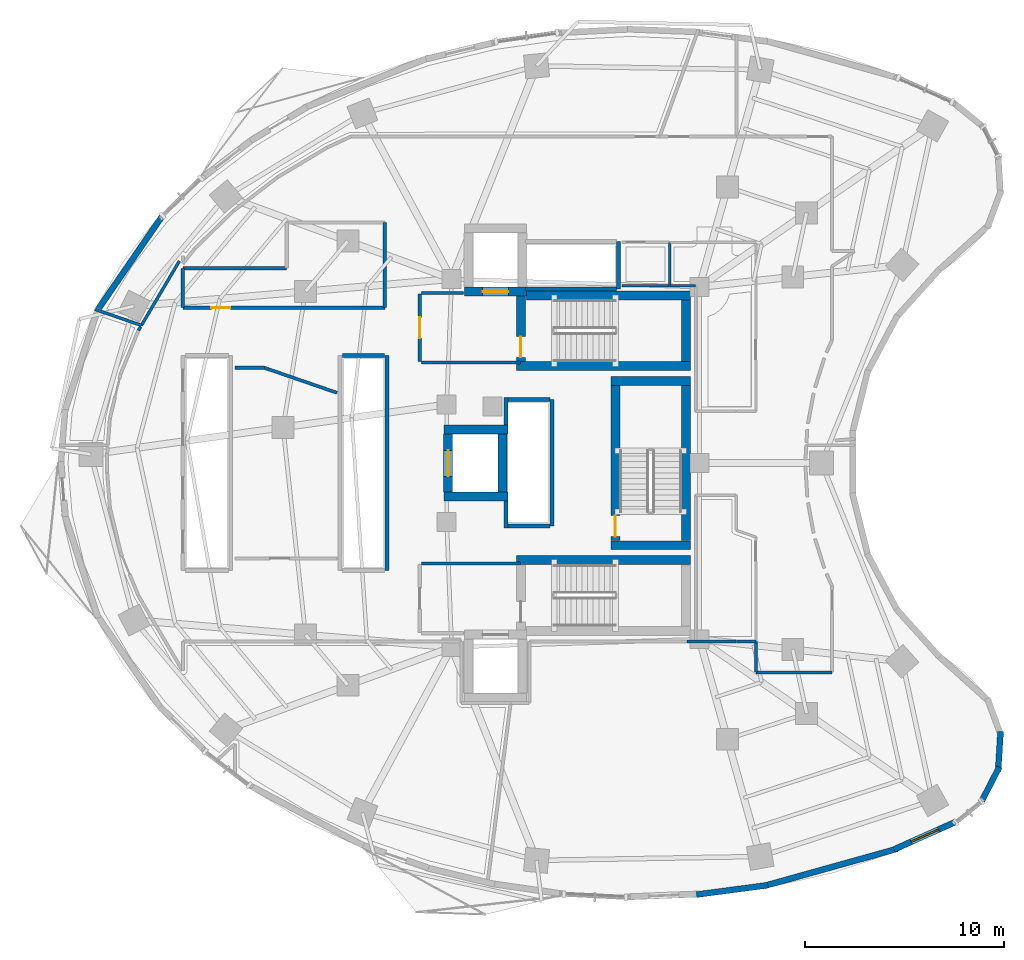
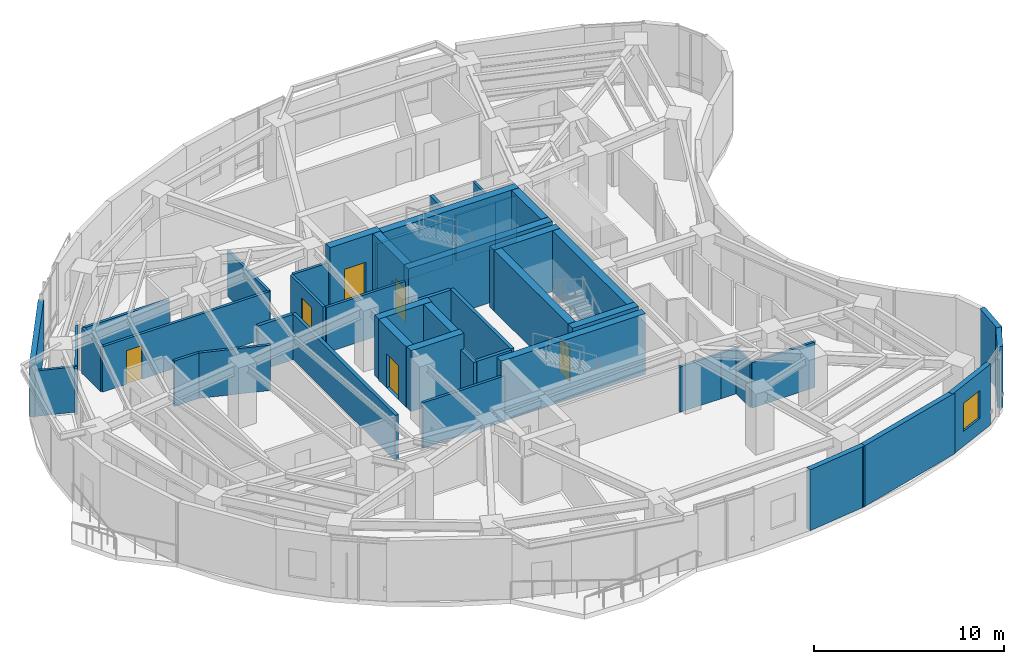
# One storey, part 8 of 13: 49 walls, 6 doors, 1 window, 7 openings.
"""IFC4 building model written with IfcOpenShell, lengths in metres."""

import ifcopenshell
import ifcopenshell.guid

model = None  # the IFC model being written
_history = None  # IfcOwnerHistory: only IFC2X3 demands one
_inside = {}  # id of a spatial element -> (the spatial element, [elements in it])
_under = {}  # id of a project, library or spatial element -> (it, [spatial elements below it])
_declared = {}  # id of a project -> (the project, [libraries it declares])
_typed = {}  # id of a type object -> (the type object, [elements of that type])
_made_of = {}  # id of a material, layer set ... -> (it, [elements and type objects made of it])


def new_model(schema):
    """Start an empty IFC model of exactly this schema.

    Asked for "IFC4X3", IfcOpenShell would pick the latest addendum, in which some entities
    have other attributes; the version numbers below select the first issue.
    IFC2X3 requires an IfcOwnerHistory on every rooted entity: one is made here for all.
    """
    global model, _history
    if schema == "IFC4X3":
        model = ifcopenshell.file(schema_version=(4, 3, 0, 0))
    else:
        model = ifcopenshell.file(schema=schema)
    _inside.clear()
    _under.clear()
    _declared.clear()
    _typed.clear()
    _made_of.clear()
    _history = None
    if model.schema == "IFC2X3":
        org = make("IfcOrganization", Name="unknown")
        user = make(
            "IfcPersonAndOrganization",
            ThePerson=make("IfcPerson", FamilyName="unknown"),
            TheOrganization=org,
        )
        app = make(
            "IfcApplication",
            ApplicationDeveloper=org,
            Version="unknown",
            ApplicationFullName="unknown",
            ApplicationIdentifier="unknown",
        )
        _history = make(
            "IfcOwnerHistory",
            OwningUser=user,
            OwningApplication=app,
            ChangeAction="ADDED",
            CreationDate=0,
        )
    return model


def make(cls, **values):
    """One entity of the class cls with the attributes given. An attribute that is None is left unset."""
    return model.create_entity(
        cls, **{name: value for name, value in values.items() if value is not None}
    )


def rooted(cls, **values):
    """An entity with a GlobalId (a new one), such as an element, a storey or a relation."""
    return make(cls, GlobalId=ifcopenshell.guid.new(), OwnerHistory=_history, **values)


def si_unit(unit_type, name, prefix=None):
    """IfcSIUnit, for example si_unit("LENGTHUNIT", "METRE", prefix="MILLI")."""
    return make("IfcSIUnit", UnitType=unit_type, Prefix=prefix, Name=name)


def assignment(units):
    """IfcUnitAssignment: the units of a project."""
    return None if units is None else make("IfcUnitAssignment", Units=units)


def point(xyz):
    """IfcCartesianPoint."""
    return None if xyz is None else make("IfcCartesianPoint", Coordinates=xyz)


def direction(xyz):
    """IfcDirection."""
    return None if xyz is None else make("IfcDirection", DirectionRatios=xyz)


def frame(location, z_axis=None, x_axis=None):
    """IfcAxis2Placement3D, a coordinate frame: its origin and axes. An axis left out is left unset."""
    return make(
        "IfcAxis2Placement3D",
        Location=point(location),
        Axis=direction(z_axis),
        RefDirection=direction(x_axis),
    )


def frame_2d(location, x_axis=None):
    """IfcAxis2Placement2D, a coordinate frame in the plane: its origin and x axis."""
    return make(
        "IfcAxis2Placement2D", Location=point(location), RefDirection=direction(x_axis)
    )


def origin():
    """The frame at (0, 0, 0) with its axes left unset."""
    return frame((0.0, 0.0, 0.0))


def place(relative_to, where):
    """IfcLocalPlacement: puts the frame where relative to a parent placement (None: the world)."""
    return make(
        "IfcLocalPlacement", PlacementRelTo=relative_to, RelativePlacement=where
    )


def context(
    kind, dimensions, precision=None, world=None, true_north=None, identifier=None
):
    """IfcGeometricRepresentationContext, for example the 3D "Model" context."""
    return make(
        "IfcGeometricRepresentationContext",
        ContextIdentifier=identifier,
        ContextType=kind,
        CoordinateSpaceDimension=dimensions,
        Precision=precision,
        WorldCoordinateSystem=world,
        TrueNorth=true_north,
    )


def subcontext(parent, identifier, kind, view, scale=None):
    """IfcGeometricRepresentationSubContext, for example "Body" below "Model"."""
    return make(
        "IfcGeometricRepresentationSubContext",
        ContextIdentifier=identifier,
        ContextType=kind,
        ParentContext=parent,
        TargetScale=scale,
        TargetView=view,
    )


def project(units=None, contexts=None):
    """IfcProject with its units and contexts."""
    return rooted(
        "IfcProject",
        Name="project",
        RepresentationContexts=contexts,
        UnitsInContext=assignment(units),
    )


def spatial(cls, under=None, at=None, **own):
    """A site, building, storey or space (cls), placed at a placement, below another one or the project."""
    s = rooted(cls, ObjectPlacement=at, **own)
    if under is not None:
        _under.setdefault(under.id(), (under, []))[1].append(s)
    return s


def profile(cls, at=None, kind="AREA", **sizes):
    """A parametric profile (cls). Its sizes go by their IFC names, for example OverallWidth=200.0."""
    return make(cls, ProfileType=kind, Position=at, **sizes)


def rectangle(**sizes):
    """IfcRectangleProfileDef."""
    return profile("IfcRectangleProfileDef", **sizes)


def extrude(swept, where, along, depth):
    """IfcExtrudedAreaSolid: the profile swept, set in the frame where, extruded along a direction by depth."""
    return make(
        "IfcExtrudedAreaSolid",
        SweptArea=swept,
        Position=where,
        ExtrudedDirection=direction(along),
        Depth=depth,
    )


def shape(context_of_items, identifier, shape_type, items):
    """IfcShapeRepresentation: the items that make up one representation, for example the "Body"."""
    return make(
        "IfcShapeRepresentation",
        ContextOfItems=context_of_items,
        RepresentationIdentifier=identifier,
        RepresentationType=shape_type,
        Items=items,
    )


def material(Name=None, Category=None):
    """IfcMaterial."""
    return make("IfcMaterial", Name=Name, Category=Category)


def layer(
    of_material, thickness, ventilated=None, Name=None, Category=None, Priority=None
):
    """IfcMaterialLayer: one layer of a wall or slab, of a material (None: an air gap)."""
    return make(
        "IfcMaterialLayer",
        Material=of_material,
        LayerThickness=thickness,
        IsVentilated=ventilated,
        Name=Name,
        Category=Category,
        Priority=Priority,
    )


def layer_set(layers, Name=None):
    """IfcMaterialLayerSet."""
    return make("IfcMaterialLayerSet", MaterialLayers=layers, LayerSetName=Name)


def made_of(thing, what):
    """Note that an element or type object is made of a material, layer set ...; save() writes the relation."""
    if what is not None:
        _made_of.setdefault(what.id(), (what, []))[1].append(thing)
    return thing


def type_object(cls, material=None, **own):
    """A type object (cls), such as IfcWallType, which elements share."""
    return made_of(rooted(cls, **own), material)


def element(
    cls,
    number,
    at=None,
    inside=None,
    cuts=None,
    type_object=None,
    material=None,
    context=None,
    identifier="Body",
    shape_type=None,
    held_by="IfcProductDefinitionShape",
    body=None,
    shapes=None,
    **own,
):
    """One element of the class cls, such as IfcWall. Its Tag is "e" and its number.

    at: its placement. inside: the storey or other place that contains it. cuts: it is an
    opening in that element (IfcRelVoidsElement). A single representation is given by context,
    identifier, shape_type and body (its items); several are given by shapes. held_by: the class
    of the entity that holds the representations. save() writes the other relations.
    """
    e = rooted(cls, Tag="e%d" % number, ObjectPlacement=at, **own)
    if body is not None:
        shapes = [shape(context, identifier, shape_type, body)]
    if shapes is not None:
        e.Representation = make(held_by, Representations=shapes)
    if inside is not None:
        _inside.setdefault(inside.id(), (inside, []))[1].append(e)
    if cuts is not None:
        rooted(
            "IfcRelVoidsElement", RelatingBuildingElement=cuts, RelatedOpeningElement=e
        )
    if type_object is not None:
        _typed.setdefault(type_object.id(), (type_object, []))[1].append(e)
    return made_of(e, material)


def fill(opening, filler):
    """IfcRelFillsElement: the door or window that sits in an opening."""
    return rooted(
        "IfcRelFillsElement",
        RelatingOpeningElement=opening,
        RelatedBuildingElement=filler,
    )


def aggregate(whole, parts):
    """IfcRelAggregates: a whole, such as a stair, and the parts it consists of."""
    return rooted("IfcRelAggregates", RelatingObject=whole, RelatedObjects=parts)


def save(model, path):
    """Write the relations noted so far, then the file.

    IfcRelAggregates (storeys below a building ...), IfcRelContainedInSpatialStructure (elements
    in a storey), IfcRelDefinesByType, IfcRelAssociatesMaterial and IfcRelDeclares: one each for
    every whole, place, type object, material and project.
    """
    for whole, parts in _under.values():
        aggregate(whole, parts)
    for where, things in _inside.values():
        rooted(
            "IfcRelContainedInSpatialStructure",
            RelatedElements=things,
            RelatingStructure=where,
        )
    for kind, things in _typed.values():
        rooted("IfcRelDefinesByType", RelatedObjects=things, RelatingType=kind)
    for what, things in _made_of.values():
        rooted("IfcRelAssociatesMaterial", RelatedObjects=things, RelatingMaterial=what)
    for by, libraries in _declared.values():
        rooted("IfcRelDeclares", RelatingContext=by, RelatedDefinitions=libraries)
    model.write(path)


model = new_model("IFC4")

# Units and contexts
model_context = context("Model", 3, precision=1e-05, world=origin(), true_north=direction((0.0, 1.0)))
body_context = subcontext(model_context, "Body", "Model", "MODEL_VIEW")
ifc_project = project(units=[si_unit("LENGTHUNIT", "METRE"), si_unit("AREAUNIT", "SQUARE_METRE"), si_unit("VOLUMEUNIT", "CUBIC_METRE"), si_unit("PLANEANGLEUNIT", "RADIAN"), si_unit("MASSUNIT", "GRAM", prefix="KILO")], contexts=[model_context])

# Site, building, storey
site_placement = place(None, origin())
site = spatial("IfcSite", under=ifc_project, at=site_placement, CompositionType="ELEMENT")
building_placement = place(site_placement, origin())
building = spatial("IfcBuilding", under=site, at=building_placement, Name="Korentha Bioscience Tower", CompositionType="ELEMENT")
storey_placement = place(building_placement, frame((0.0, 0.0, 123.60009765625)))
storey = spatial("IfcBuildingStorey", under=building, at=storey_placement, Name="L28", CompositionType="ELEMENT", Elevation=123.60009765625)

# Walls
ifc_material_1 = material(Name="Double-Stud Acoustic Gypsum", Category="gypsum")
ifc_layer_1 = layer(ifc_material_1, 0.14990234375, Name="Double-Stud Acoustic Gypsum")
ifc_layer_set_1 = layer_set([ifc_layer_1], Name="Double-Stud Acoustic Gypsum (IW-L150)")
wall_type_1 = type_object("IfcWallType", Name="Acoustic Laboratory Partition Wall 150", PredefinedType="PARTITIONING", material=ifc_layer_set_1)
wall_1_placement = place(storey_placement, frame((36.91162109375, 18.048095703125, 0.0), z_axis=(0.0, 0.0, 1.0), x_axis=(1.0, 0.0, 0.0)))
element("IfcWall", 1, at=wall_1_placement, inside=storey, type_object=wall_type_1, Name="L28 Interior Partition 033", PredefinedType="PARTITIONING", context=body_context, shape_type="SweptSolid", body=[
    extrude(rectangle(XDim=2.486328125, YDim=0.14990234375, at=frame_2d((1.2431640625, 0.0))), origin(), (0.0, 0.0, 1.0), 2.909912109375),
])
wall_2_placement = place(storey_placement, frame((39.402099609375, 18.048095703125, 0.0), z_axis=(0.0, 0.0, 1.0), x_axis=(1.0, 0.0, 0.0)))
element("IfcWall", 2, at=wall_2_placement, inside=storey, type_object=wall_type_1, Name="L28 Interior Partition 034", PredefinedType="PARTITIONING", context=body_context, shape_type="SweptSolid", body=[
    extrude(rectangle(XDim=0.98779296875, YDim=0.14990234375, at=frame_2d((0.493896484375, 0.0))), origin(), (0.0, 0.0, 1.0), 2.909912109375),
])
wall_3_placement = place(storey_placement, frame((40.389892578125, 18.048095703125, 0.0), z_axis=(0.0, 0.0, 1.0), x_axis=(0.0, -1.0, 0.0)))
element("IfcWall", 3, at=wall_3_placement, inside=storey, type_object=wall_type_1, Name="L28 Interior Partition 035", PredefinedType="PARTITIONING", context=body_context, shape_type="SweptSolid", body=[
    extrude(rectangle(XDim=1.548095703125, YDim=0.14990234375, at=frame_2d((0.77392578125, 0.0))), origin(), (0.0, 0.0, 1.0), 2.909912109375),
])
wall_4_placement = place(storey_placement, frame((40.39990234375, 16.489990234375, 0.0), z_axis=(0.0, 0.0, 1.0), x_axis=(1.0, 0.0, 0.0)))
element("IfcWall", 4, at=wall_4_placement, inside=storey, type_object=wall_type_1, Name="L28 Interior Partition 036", PredefinedType="PARTITIONING", context=body_context, shape_type="SweptSolid", body=[
    extrude(rectangle(XDim=3.800048828125, YDim=0.14990234375, at=frame_2d((1.89990234375, 0.0))), origin(), (0.0, 0.0, 1.0), 2.909912109375),
])
wall_5_placement = place(storey_placement, frame((11.418701171875, 37.154296875, 0.0), z_axis=(0.0, 0.0, 1.0), x_axis=(-0.508216412194, -0.861229399392, 0.0)))
element("IfcWall", 5, at=wall_5_placement, inside=storey, type_object=wall_type_1, Name="L28 Interior Partition 074", PredefinedType="PARTITIONING", context=body_context, shape_type="SweptSolid", body=[
    extrude(rectangle(XDim=3.753173828125, YDim=0.14990234375, at=frame_2d((1.87646484375, 0.0))), origin(), (0.0, 0.0, 1.0), 2.909912109375),
])
wall_6_placement = place(storey_placement, frame((9.51123046875, 33.921875, 0.0), z_axis=(0.0, 0.0, 1.0), x_axis=(-0.945502944909, 0.325613545737, 0.0)))
element("IfcWall", 6, at=wall_6_placement, inside=storey, type_object=wall_type_1, Name="L28 Interior Partition 075", PredefinedType="PARTITIONING", context=body_context, shape_type="SweptSolid", body=[
    extrude(rectangle(XDim=2.4541015625, YDim=0.14990234375, at=frame_2d((1.22705078125, 0.0))), origin(), (0.0, 0.0, 1.0), 2.909912109375),
])
wall_7_placement = place(storey_placement, frame((9.470703125, 33.853271484375, 0.0), z_axis=(0.0, 0.0, 1.0), x_axis=(-0.507456803225, -0.861677197598, 0.0)))
element("IfcWall", 7, at=wall_7_placement, inside=storey, type_object=wall_type_1, Name="L28 Interior Partition 081", PredefinedType="PARTITIONING", context=body_context, shape_type="SweptSolid", body=[
    extrude(rectangle(XDim=0.219970703125, YDim=0.14990234375, at=frame_2d((0.10986328125, 0.0))), origin(), (0.0, 0.0, 1.0), 2.909912109375),
])
ifc_material_2 = material(Name="Fire-Rated Framed Glass", Category="glass")
ifc_layer_2 = layer(ifc_material_2, 0.110107421875, Name="Fire-Rated Framed Glass")
ifc_layer_set_2 = layer_set([ifc_layer_2], Name="Fire-Rated Framed Glass (IW-G110)")
wall_type_2 = type_object("IfcWallType", Name="Demountable Glazed Office Partition 110", PredefinedType="MOVABLE", material=ifc_layer_set_2)
wall_8_placement = place(storey_placement, frame((37.35009765625, 35.909912109375, 0.0), z_axis=(0.0, 0.0, 1.0), x_axis=(-1.0, 0.0, 0.0)))
element("IfcWall", 8, at=wall_8_placement, inside=storey, type_object=wall_type_2, Name="L28 Interior Partition 062", PredefinedType="MOVABLE", context=body_context, shape_type="SweptSolid", body=[
    extrude(rectangle(XDim=1.2900390625, YDim=0.110107421875, at=frame_2d((0.64501953125, 0.0))), origin(), (0.0, 0.0, 1.0), 2.909912109375),
])

# Wall, opening, door
ifc_material_3 = material(Name="Gypsum-Clad Steel Stud", Category="steel")
ifc_layer_3 = layer(ifc_material_3, 0.159912109375, Name="Gypsum-Clad Steel Stud")
ifc_layer_set_3 = layer_set([ifc_layer_3], Name="Gypsum-Clad Steel Stud (IW-C160)")
wall_type_3 = type_object("IfcWallType", Name="Fire-Rated Corridor Partition Wall 160", PredefinedType="PARTITIONING", material=ifc_layer_set_3)
wall_9_placement = place(storey_placement, frame((23.5, 32.10009765625, 0.0), z_axis=(0.0, 0.0, 1.0), x_axis=(0.0, 1.0, 0.0)))
wall_9 = element("IfcWall", 9, at=wall_9_placement, inside=storey, type_object=wall_type_3, Name="L28 FFLN-CW Rated Enclosure Wall", PredefinedType="PARTITIONING", context=body_context, shape_type="SweptSolid", body=[
    extrude(rectangle(XDim=3.39990234375, YDim=0.159912109375, at=frame_2d((1.699951171875, 0.0))), origin(), (0.0, 0.0, 1.0), 2.909912109375),
])
opening_1_placement = place(wall_9_placement, frame((1.175048828125, 0.0, 0.0)))
opening_1 = element("IfcOpeningElement", 10, at=opening_1_placement, cuts=wall_9, Name="Opening FD-90L", PredefinedType="OPENING", context=body_context, shape_type="SweptSolid", body=[
    extrude(rectangle(XDim=1.050048828125, YDim=2.14990234375, at=frame_2d((0.52490234375, 1.074951171875))), frame((0.0, 0.0947265625, 0.0), z_axis=(0.0, -1.0, 0.0), x_axis=(1.0, 0.0, 0.0)), (0.0, 0.0, 1.0), 0.189697265625),
])
ifc_material_4 = material(Name="Powder-Coated Fire-Rated Steel", Category="steel")
door_type_1 = type_object("IfcDoorType", Name="Stairwell Fire Exit Door 1050x2150 Left", OperationType="SINGLE_SWING_LEFT", PredefinedType="DOOR", material=ifc_material_4)
door_1_placement = place(opening_1_placement, origin())
door_1 = element("IfcDoor", 11, at=door_1_placement, inside=storey, type_object=door_type_1, Name="L28 North Firefighting Lobby Door", OperationType="SINGLE_SWING_LEFT", OverallHeight=2.14990234375, OverallWidth=1.050048828125, PredefinedType="DOOR", context=body_context, shape_type="SweptSolid", body=[
    extrude(rectangle(XDim=1.050048828125, YDim=2.14990234375, at=frame_2d((0.52490234375, 1.074951171875))), frame((0.0, 0.02490234375, 0.0), z_axis=(0.0, -1.0, 0.0), x_axis=(1.0, 0.0, 0.0)), (0.0, 0.0, 1.0), 0.050048828125),
])
fill(opening_1, door_1)

# Walls
wall_10_placement = place(storey_placement, frame((23.580078125, 32.050048828125, 0.0), z_axis=(0.0, 0.0, 1.0), x_axis=(1.0, 0.0, 0.0)))
element("IfcWall", 12, at=wall_10_placement, inside=storey, type_object=wall_type_3, Name="L28 Firefighting Lobby Return Wall FFLN-S", PredefinedType="PARTITIONING", context=body_context, shape_type="SweptSolid", body=[
    extrude(rectangle(XDim=4.969970703125, YDim=0.159912109375, at=frame_2d((2.48486328125, 0.0))), origin(), (0.0, 0.0, 1.0), 2.909912109375),
])
wall_11_placement = place(storey_placement, frame((23.580078125, 35.550048828125, 0.0), z_axis=(0.0, 0.0, 1.0), x_axis=(1.0, 0.0, 0.0)))
element("IfcWall", 13, at=wall_11_placement, inside=storey, type_object=wall_type_3, Name="L28 Firefighting Lobby Return Wall FFLN-N", PredefinedType="PARTITIONING", context=body_context, shape_type="SweptSolid", body=[
    extrude(rectangle(XDim=2.119873046875, YDim=0.159912109375, at=frame_2d((1.06005859375, 0.0))), origin(), (0.0, 0.0, 1.0), 2.909912109375),
])
wall_12_placement = place(storey_placement, frame((23.580078125, 21.949951171875, 0.0), z_axis=(0.0, 0.0, 1.0), x_axis=(1.0, 0.0, 0.0)))
element("IfcWall", 14, at=wall_12_placement, inside=storey, type_object=wall_type_3, Name="L28 Firefighting Lobby Return Wall FFLS-N", PredefinedType="PARTITIONING", context=body_context, shape_type="SweptSolid", body=[
    extrude(rectangle(XDim=4.969970703125, YDim=0.159912109375, at=frame_2d((2.48486328125, 0.0))), origin(), (0.0, 0.0, 1.0), 2.909912109375),
])

# Wall, opening, door
wall_13_placement = place(storey_placement, frame((21.739990234375, 34.81005859375, 0.0), z_axis=(0.0, 0.0, 1.0), x_axis=(-1.0, 0.0, 0.0)))
wall_13 = element("IfcWall", 15, at=wall_13_placement, inside=storey, type_object=wall_type_3, Name="L28 Instrument Calibration Workshop 09 Entrance Wall", PredefinedType="PARTITIONING", context=body_context, shape_type="SweptSolid", body=[
    extrude(rectangle(XDim=10.14990234375, YDim=0.159912109375, at=frame_2d((5.074951171875, 0.0))), origin(), (0.0, 0.0, 1.0), 2.909912109375),
])
opening_2_placement = place(wall_13_placement, frame((7.76220703125, 0.0, 0.0)))
opening_2 = element("IfcOpeningElement", 16, at=opening_2_placement, cuts=wall_13, Name="Opening ID-10R", PredefinedType="OPENING", context=body_context, shape_type="SweptSolid", body=[
    extrude(rectangle(XDim=0.949951171875, YDim=2.14990234375, at=frame_2d((0.47509765625, 1.074951171875))), frame((0.0, 0.0947265625, 0.0), z_axis=(0.0, -1.0, 0.0), x_axis=(1.0, 0.0, 0.0)), (0.0, 0.0, 1.0), 0.189697265625),
])
ifc_material_5 = material(Name="Phenolic Laminate Timber Core", Category="wood")
door_type_2 = type_object("IfcDoorType", Name="Laboratory Single Leaf Door 950x2150 Right", OperationType="SINGLE_SWING_RIGHT", PredefinedType="DOOR", material=ifc_material_5)
door_2_placement = place(opening_2_placement, origin())
door_2 = element("IfcDoor", 17, at=door_2_placement, inside=storey, type_object=door_type_2, Name="L28 Instrument Calibration Workshop 09 Door", OperationType="SINGLE_SWING_RIGHT", OverallHeight=2.14990234375, OverallWidth=0.949951171875, PredefinedType="DOOR", context=body_context, shape_type="SweptSolid", body=[
    extrude(rectangle(XDim=0.949951171875, YDim=2.14990234375, at=frame_2d((0.47509765625, 1.074951171875))), frame((0.0, 0.02490234375, 0.0), z_axis=(0.0, -1.0, 0.0), x_axis=(1.0, 0.0, 0.0)), (0.0, 0.0, 1.0), 0.050048828125),
])
fill(opening_2, door_2)

# Walls
wall_14_placement = place(storey_placement, frame((14.201904296875, 31.7900390625, 0.0), z_axis=(0.0, 0.0, 1.0), x_axis=(1.0, 0.0, 0.0)))
element("IfcWall", 18, at=wall_14_placement, inside=storey, type_object=wall_type_3, Name="L28 Interior Partition 014", PredefinedType="PARTITIONING", context=body_context, shape_type="SweptSolid", body=[
    extrude(rectangle(XDim=1.488525390625, YDim=0.159912109375, at=frame_2d((0.744140625, 0.0))), origin(), (0.0, 0.0, 1.0), 2.909912109375),
])
wall_15_placement = place(storey_placement, frame((15.6904296875, 31.7900390625, 0.0), z_axis=(0.0, 0.0, 1.0), x_axis=(0.945518754025, -0.32556763627, 0.0)))
element("IfcWall", 19, at=wall_15_placement, inside=storey, type_object=wall_type_3, Name="L28 Interior Partition 015", PredefinedType="PARTITIONING", context=body_context, shape_type="SweptSolid", body=[
    extrude(rectangle(XDim=3.859619140625, YDim=0.159912109375, at=frame_2d((1.9296875, 0.0))), origin(), (0.0, 0.0, 1.0), 2.909912109375),
])
wall_16_placement = place(storey_placement, frame((21.739990234375, 39.090087890625, 0.0), z_axis=(0.0, 0.0, 1.0), x_axis=(0.0, -1.0, 0.0)))
element("IfcWall", 20, at=wall_16_placement, inside=storey, type_object=wall_type_3, Name="L28 Interior Partition 078", PredefinedType="PARTITIONING", context=body_context, shape_type="SweptSolid", body=[
    extrude(rectangle(XDim=4.280029296875, YDim=0.159912109375, at=frame_2d((2.14013671875, 0.0))), origin(), (0.0, 0.0, 1.0), 2.909912109375),
])
wall_17_placement = place(storey_placement, frame((11.590087890625, 34.81005859375, 0.0), z_axis=(0.0, 0.0, 1.0), x_axis=(0.0, 1.0, 0.0)))
element("IfcWall", 21, at=wall_17_placement, inside=storey, type_object=wall_type_3, Name="L28 Interior Partition 079", PredefinedType="PARTITIONING", context=body_context, shape_type="SweptSolid", body=[
    extrude(rectangle(XDim=1.97998046875, YDim=0.159912109375, at=frame_2d((0.989990234375, 0.0))), origin(), (0.0, 0.0, 1.0), 2.909912109375),
])
wall_18_placement = place(storey_placement, frame((11.590087890625, 36.7900390625, 0.0), z_axis=(0.0, 0.0, 1.0), x_axis=(1.0, 0.0, 0.0)))
element("IfcWall", 22, at=wall_18_placement, inside=storey, type_object=wall_type_3, Name="L28 Interior Partition 080", PredefinedType="PARTITIONING", context=body_context, shape_type="SweptSolid", body=[
    extrude(rectangle(XDim=5.2099609375, YDim=0.159912109375, at=frame_2d((2.60498046875, 0.0))), origin(), (0.0, 0.0, 1.0), 2.909912109375),
])

# Wall, opening, window
ifc_material_6 = material(Name="Honed Limestone Precast Concrete C40", Category="masonry")
ifc_layer_4 = layer(ifc_material_6, 0.300048828125, Name="Honed Limestone Precast Concrete C40")
ifc_layer_set_4 = layer_set([ifc_layer_4], Name="Honed Limestone Precast Concrete C40 (EW-ST300)")
wall_type_4 = type_object("IfcWallType", Name="Honed Limestone Cavity Spandrel Wall 300", PredefinedType="STANDARD", material=ifc_layer_set_4)
wall_19_placement = place(storey_placement, frame((47.3193359375, 7.5849609375, 0.0), z_axis=(0.0, 0.0, 1.0), x_axis=(0.912680179498, 0.40867455261, 0.0)))
wall_19 = element("IfcWall", 23, at=wall_19_placement, inside=storey, type_object=wall_type_4, Name="L28 Honed Limestone Spandrel Wall 36", PredefinedType="STANDARD", context=body_context, shape_type="SweptSolid", body=[
    extrude(rectangle(XDim=3.40087890625, YDim=0.300048828125, at=frame_2d((1.700439453125, 0.0))), origin(), (0.0, 0.0, 1.0), 3.89990234375),
])
opening_3_placement = place(wall_19_placement, frame((0.950439453125, 0.0, 0.949951171875)))
opening_3 = element("IfcOpeningElement", 24, at=opening_3_placement, cuts=wall_19, Name="Opening WN-02", PredefinedType="OPENING", context=body_context, shape_type="SweptSolid", body=[
    extrude(rectangle(XDim=1.5, YDim=1.800048828125, at=frame_2d((0.75, 0.89990234375))), frame((0.0, 0.1650390625, 0.0), z_axis=(0.0, -1.0, 0.0), x_axis=(1.0, 0.0, 0.0)), (0.0, 0.0, 1.0), 0.329833984375),
])
ifc_material_7 = material(Name="Thermally Broken Aluminium Triple Glazing", Category="aluminium")
window_type = type_object("IfcWindowType", Name="Acoustic Operable Office Window 1500x1800", PartitioningType="DOUBLE_PANEL_VERTICAL", PredefinedType="WINDOW", material=ifc_material_7)
window_placement = place(opening_3_placement, origin())
window = element("IfcWindow", 25, at=window_placement, inside=storey, type_object=window_type, Name="L28 Facade Window 36", OverallHeight=1.800048828125, OverallWidth=1.5, PartitioningType="DOUBLE_PANEL_VERTICAL", PredefinedType="WINDOW", context=body_context, shape_type="SweptSolid", body=[
    extrude(rectangle(XDim=1.5, YDim=1.800048828125, at=frame_2d((0.75, 0.89990234375))), frame((0.0, 0.030029296875, 0.0), z_axis=(0.0, -1.0, 0.0), x_axis=(1.0, 0.0, 0.0)), (0.0, 0.0, 1.0), 0.06005859375),
])
fill(opening_3, window)

# Walls
wall_20_placement = place(storey_placement, frame((10.54833984375, 39.400390625, 0.0), z_axis=(0.0, 0.0, 1.0), x_axis=(-0.566825798999, -0.823837674296, 0.0)))
element("IfcWall", 26, at=wall_20_placement, inside=storey, type_object=wall_type_4, Name="L28 Limestone Perimeter Closure Wall 14", PredefinedType="STANDARD", context=body_context, shape_type="SweptSolid", body=[
    extrude(rectangle(XDim=5.825927734375, YDim=0.300048828125, at=frame_2d((2.9130859375, 0.0))), origin(), (0.0, 0.0, 1.0), 3.469970703125),
])
wall_21_placement = place(storey_placement, frame((37.40234375, 5.319091796875, 0.0), z_axis=(0.0, 0.0, 1.0), x_axis=(0.991372969521, 0.131071107816, 0.0)))
element("IfcWall", 27, at=wall_21_placement, inside=storey, type_object=wall_type_4, Name="L28 Limestone Perimeter Closure Wall 33", PredefinedType="STANDARD", context=body_context, shape_type="SweptSolid", body=[
    extrude(rectangle(XDim=3.615478515625, YDim=0.300048828125, at=frame_2d((1.8076171875, 0.0))), origin(), (0.0, 0.0, 1.0), 3.89990234375),
])
wall_22_placement = place(storey_placement, frame((40.810791015625, 5.7568359375, 0.0), z_axis=(0.0, 0.0, 1.0), x_axis=(0.963116215402, 0.269085777459, 0.0)))
element("IfcWall", 28, at=wall_22_placement, inside=storey, type_object=wall_type_4, Name="L28 Limestone Perimeter Closure Wall 34", PredefinedType="STANDARD", context=body_context, shape_type="SweptSolid", body=[
    extrude(rectangle(XDim=6.923583984375, YDim=0.300048828125, at=frame_2d((3.4619140625, 0.0))), origin(), (0.0, 0.0, 1.0), 3.89990234375),
])
for number, where, z_axis, x_axis, name in (
    (29, (51.701171875, 9.953125, 0.0), (0.0, 0.0, 1.0), (0.457596540329, 0.889159944149, 0.0), "L28 Limestone Perimeter Closure Wall 38"),
    (30, (52.55859375, 11.522705078125, 0.0), (0.0, 0.0, 1.0), (0.060255200356, 0.998183004679, 0.0), "L28 Limestone Perimeter Closure Wall 39"),
):
    element("IfcWall", number, at=place(storey_placement, frame(where, z_axis=z_axis, x_axis=x_axis)), inside=storey, type_object=wall_type_4, Name=name, PredefinedType="STANDARD", context=body_context, shape_type="SweptSolid", body=[
        extrude(rectangle(XDim=1.99755859375, YDim=0.300048828125, at=frame_2d((0.998779296875, 0.0))), origin(), (0.0, 0.0, 1.0), 3.89990234375),
    ])
ifc_material_8 = material(Name="Autoclaved Aerated Concrete Block C25", Category="concrete")
ifc_layer_5 = layer(ifc_material_8, 0.199951171875, Name="Autoclaved Aerated Concrete Block C25")
ifc_layer_set_5 = layer_set([ifc_layer_5], Name="Autoclaved Aerated Concrete Block C25 (IW-S200)")
wall_type_5 = type_object("IfcWallType", Name="Lift and Riser Shaft Enclosure Wall 200", PredefinedType="PARTITIONING", material=ifc_layer_set_5)
wall_23_placement = place(storey_placement, frame((21.85009765625, 21.60009765625, 0.0), z_axis=(0.0, 0.0, 1.0), x_axis=(0.0, 1.0, 0.0)))
element("IfcWall", 31, at=wall_23_placement, inside=storey, type_object=wall_type_5, Name="L28 Lift Bank MID Shaft Wall +X", PredefinedType="PARTITIONING", context=body_context, shape_type="SweptSolid", body=[
    extrude(rectangle(XDim=10.7998046875, YDim=0.199951171875, at=frame_2d((5.39990234375, 0.0))), origin(), (0.0, 0.0, 1.0), 2.909912109375),
])
wall_24_placement = place(storey_placement, frame((19.6201171875, 32.39990234375, 0.0), z_axis=(0.0, 0.0, 1.0), x_axis=(1.0, 0.0, 0.0)))
element("IfcWall", 32, at=wall_24_placement, inside=storey, type_object=wall_type_5, Name="L28 Lift Bank MID Shaft Wall +Y", PredefinedType="PARTITIONING", context=body_context, shape_type="SweptSolid", body=[
    extrude(rectangle(XDim=2.10986328125, YDim=0.199951171875, at=frame_2d((1.054931640625, 0.0))), origin(), (0.0, 0.0, 1.0), 2.909912109375),
])
wall_25_placement = place(storey_placement, frame((27.830078125, 23.75, 0.0), z_axis=(0.0, 0.0, 1.0), x_axis=(0.0, 1.0, 0.0)))
element("IfcWall", 33, at=wall_25_placement, inside=storey, type_object=wall_type_5, Name="L28 Lift Bank HIGH Shaft Wall -XS", PredefinedType="PARTITIONING", context=body_context, shape_type="SweptSolid", body=[
    extrude(rectangle(XDim=1.341064453125, YDim=0.199951171875, at=frame_2d((0.67041015625, 0.0))), origin(), (0.0, 0.0, 1.0), 2.909912109375),
])
wall_26_placement = place(storey_placement, frame((27.830078125, 28.908935546875, 0.0), z_axis=(0.0, 0.0, 1.0), x_axis=(0.0, 1.0, 0.0)))
element("IfcWall", 34, at=wall_26_placement, inside=storey, type_object=wall_type_5, Name="L28 Lift Bank HIGH Shaft Wall -XN", PredefinedType="PARTITIONING", context=body_context, shape_type="SweptSolid", body=[
    extrude(rectangle(XDim=1.39111328125, YDim=0.199951171875, at=frame_2d((0.695556640625, 0.0))), origin(), (0.0, 0.0, 1.0), 2.909912109375),
])
wall_27_placement = place(storey_placement, frame((30.14990234375, 23.85009765625, 0.0), z_axis=(0.0, 0.0, 1.0), x_axis=(0.0, 1.0, 0.0)))
element("IfcWall", 35, at=wall_27_placement, inside=storey, type_object=wall_type_5, Name="L28 Lift Bank HIGH Shaft Wall +X", PredefinedType="PARTITIONING", context=body_context, shape_type="SweptSolid", body=[
    extrude(rectangle(XDim=6.349853515625, YDim=0.199951171875, at=frame_2d((3.1748046875, 0.0))), origin(), (0.0, 0.0, 1.0), 2.909912109375),
])
for number, where, z_axis, x_axis, name in (
    (36, (27.93408203125, 23.85009765625, 0.0), (0.0, 0.0, 1.0), (1.0, 0.0, 0.0), "L28 Lift Bank HIGH Shaft Wall -Y"),
    (37, (27.93408203125, 30.199951171875, 0.0), (0.0, 0.0, 1.0), (1.0, 0.0, 0.0), "L28 Lift Bank HIGH Shaft Wall +Y"),
):
    element("IfcWall", number, at=place(storey_placement, frame(where, z_axis=z_axis, x_axis=x_axis)), inside=storey, type_object=wall_type_5, Name=name, PredefinedType="PARTITIONING", context=body_context, shape_type="SweptSolid", body=[
        extrude(rectangle(XDim=2.095947265625, YDim=0.199951171875, at=frame_2d((1.0478515625, 0.0))), origin(), (0.0, 0.0, 1.0), 2.909912109375),
    ])
wall_28_placement = place(storey_placement, frame((33.489990234375, 35.760009765625, 0.0), z_axis=(0.0, 0.0, 1.0), x_axis=(0.0, 1.0, 0.0)))
element("IfcWall", 38, at=wall_28_placement, inside=storey, type_object=wall_type_5, Name="L28 Lift Bank OBS Shaft Wall +X", PredefinedType="PARTITIONING", context=body_context, shape_type="SweptSolid", body=[
    extrude(rectangle(XDim=2.3798828125, YDim=0.199951171875, at=frame_2d((1.18994140625, 0.0))), origin(), (0.0, 0.0, 1.0), 2.909912109375),
])
wall_29_placement = place(storey_placement, frame((28.800048828125, 35.760009765625, 0.0), z_axis=(0.0, 0.0, 1.0), x_axis=(1.0, 0.0, 0.0)))
element("IfcWall", 39, at=wall_29_placement, inside=storey, type_object=wall_type_5, Name="L28 Lift Bank OBS Shaft Wall -Y", PredefinedType="PARTITIONING", context=body_context, shape_type="SweptSolid", body=[
    extrude(rectangle(XDim=4.570068359375, YDim=0.199951171875, at=frame_2d((2.28515625, 0.0))), origin(), (0.0, 0.0, 1.0), 2.909912109375),
])
ifc_material_9 = material(Name="Concrete C80", Category="concrete")
ifc_layer_6 = layer(ifc_material_9, 0.449951171875, Name="Concrete C80")
ifc_layer_set_6 = layer_set([ifc_layer_6], Name="Concrete C80 (CW-C80)")
wall_type_6 = type_object("IfcWallType", Name="Lower Core Shear Wall 450", PredefinedType="SHEAR", material=ifc_layer_set_6)
wall_30_placement = place(storey_placement, frame((28.85205078125, 35.425048828125, 0.0), z_axis=(0.0, 0.0, 1.0), x_axis=(1.0, 0.0, 0.0)))
element("IfcWall", 40, at=wall_30_placement, inside=storey, type_object=wall_type_6, Name="L28 Core Shear Wall ST1-N", PredefinedType="SHEAR", context=body_context, shape_type="SweptSolid", body=[
    extrude(rectangle(XDim=8.248046875, YDim=0.449951171875, at=frame_2d((4.1240234375, 0.0))), origin(), (0.0, 0.0, 1.0), 3.89990234375),
])
wall_31_placement = place(storey_placement, frame((28.35009765625, 31.875, 0.0), z_axis=(0.0, 0.0, 1.0), x_axis=(1.0, 0.0, 0.0)))
element("IfcWall", 41, at=wall_31_placement, inside=storey, type_object=wall_type_6, Name="L28 Core Shear Wall ST1-S", PredefinedType="SHEAR", context=body_context, shape_type="SweptSolid", body=[
    extrude(rectangle(XDim=8.75, YDim=0.449951171875, at=frame_2d((4.375, 0.0))), origin(), (0.0, 0.0, 1.0), 3.89990234375),
])
wall_32_placement = place(storey_placement, frame((36.875, 32.110107421875, 0.0), z_axis=(0.0, 0.0, 1.0), x_axis=(0.0, 1.0, 0.0)))
element("IfcWall", 42, at=wall_32_placement, inside=storey, type_object=wall_type_6, Name="L28 Core Shear Wall ST1-E", PredefinedType="SHEAR", context=body_context, shape_type="SweptSolid", body=[
    extrude(rectangle(XDim=3.079833984375, YDim=0.449951171875, at=frame_2d((1.5400390625, 0.0))), origin(), (0.0, 0.0, 1.0), 3.89990234375),
])

# Wall, opening, door
wall_33_placement = place(storey_placement, frame((28.574951171875, 32.110107421875, 0.0), z_axis=(0.0, 0.0, 1.0), x_axis=(0.0, 1.0, 0.0)))
wall_33 = element("IfcWall", 43, at=wall_33_placement, inside=storey, type_object=wall_type_6, Name="L28 Core Shear Wall ST1-W", PredefinedType="SHEAR", context=body_context, shape_type="SweptSolid", body=[
    extrude(rectangle(XDim=3.282958984375, YDim=0.449951171875, at=frame_2d((1.6416015625, 0.0))), origin(), (0.0, 0.0, 1.0), 3.89990234375),
])
opening_4_placement = place(wall_33_placement, frame((0.199951171875, 0.0, 0.0)))
opening_4 = element("IfcOpeningElement", 44, at=opening_4_placement, cuts=wall_33, Name="Opening FD-90L", PredefinedType="OPENING", context=body_context, shape_type="SweptSolid", body=[
    extrude(rectangle(XDim=1.050048828125, YDim=2.14990234375, at=frame_2d((0.52490234375, 1.074951171875))), frame((0.0, 0.23974609375, 0.0), z_axis=(0.0, -1.0, 0.0), x_axis=(1.0, 0.0, 0.0)), (0.0, 0.0, 1.0), 0.479736328125),
])
door_3_placement = place(opening_4_placement, origin())
door_3 = element("IfcDoor", 45, at=door_3_placement, inside=storey, type_object=door_type_1, Name="L28 ST-1 Fire Exit Stair Door", OperationType="SINGLE_SWING_LEFT", OverallHeight=2.14990234375, OverallWidth=1.050048828125, PredefinedType="DOOR", context=body_context, shape_type="SweptSolid", body=[
    extrude(rectangle(XDim=1.050048828125, YDim=2.14990234375, at=frame_2d((0.52490234375, 1.074951171875))), frame((0.0, 0.02490234375, 0.0), z_axis=(0.0, -1.0, 0.0), x_axis=(1.0, 0.0, 0.0)), (0.0, 0.0, 1.0), 0.050048828125),
])
fill(opening_4, door_3)

# Walls
wall_34_placement = place(storey_placement, frame((28.35009765625, 22.125, 0.0), z_axis=(0.0, 0.0, 1.0), x_axis=(1.0, 0.0, 0.0)))
element("IfcWall", 46, at=wall_34_placement, inside=storey, type_object=wall_type_6, Name="L28 Core Shear Wall ST2-N", PredefinedType="SHEAR", context=body_context, shape_type="SweptSolid", body=[
    extrude(rectangle(XDim=8.75, YDim=0.449951171875, at=frame_2d((4.375, 0.0))), origin(), (0.0, 0.0, 1.0), 3.89990234375),
])
for number, where, z_axis, x_axis, name in (
    (47, (33.10009765625, 31.125, 0.0), (0.0, 0.0, 1.0), (1.0, 0.0, 0.0), "L28 Core Shear Wall ST3-N"),
    (48, (33.10009765625, 22.875, 0.0), (0.0, 0.0, 1.0), (1.0, 0.0, 0.0), "L28 Core Shear Wall ST3-S"),
):
    element("IfcWall", number, at=place(storey_placement, frame(where, z_axis=z_axis, x_axis=x_axis)), inside=storey, type_object=wall_type_6, Name=name, PredefinedType="SHEAR", context=body_context, shape_type="SweptSolid", body=[
        extrude(rectangle(XDim=4.0, YDim=0.449951171875, at=frame_2d((2.0, 0.0))), origin(), (0.0, 0.0, 1.0), 3.89990234375),
    ])
wall_35_placement = place(storey_placement, frame((36.875, 23.110107421875, 0.0), z_axis=(0.0, 0.0, 1.0), x_axis=(0.0, 1.0, 0.0)))
element("IfcWall", 49, at=wall_35_placement, inside=storey, type_object=wall_type_6, Name="L28 Core Shear Wall ST3-E", PredefinedType="SHEAR", context=body_context, shape_type="SweptSolid", body=[
    extrude(rectangle(XDim=7.77978515625, YDim=0.449951171875, at=frame_2d((3.889892578125, 0.0))), origin(), (0.0, 0.0, 1.0), 3.89990234375),
])

# Wall, opening, door
wall_36_placement = place(storey_placement, frame((33.324951171875, 23.110107421875, 0.0), z_axis=(0.0, 0.0, 1.0), x_axis=(0.0, 1.0, 0.0)))
wall_36 = element("IfcWall", 50, at=wall_36_placement, inside=storey, type_object=wall_type_6, Name="L28 Core Shear Wall ST3-W", PredefinedType="SHEAR", context=body_context, shape_type="SweptSolid", body=[
    extrude(rectangle(XDim=7.77978515625, YDim=0.449951171875, at=frame_2d((3.889892578125, 0.0))), origin(), (0.0, 0.0, 1.0), 3.89990234375),
])
opening_5_placement = place(wall_36_placement, frame((0.199951171875, 0.0, 0.0)))
opening_5 = element("IfcOpeningElement", 51, at=opening_5_placement, cuts=wall_36, Name="Opening FD-90L", PredefinedType="OPENING", context=body_context, shape_type="SweptSolid", body=[
    extrude(rectangle(XDim=1.050048828125, YDim=2.14990234375, at=frame_2d((0.52490234375, 1.074951171875))), frame((0.0, 0.23974609375, 0.0), z_axis=(0.0, -1.0, 0.0), x_axis=(1.0, 0.0, 0.0)), (0.0, 0.0, 1.0), 0.479736328125),
])
door_4_placement = place(opening_5_placement, origin())
door_4 = element("IfcDoor", 52, at=door_4_placement, inside=storey, type_object=door_type_1, Name="L28 ST-3 Fire Exit Stair Door", OperationType="SINGLE_SWING_LEFT", OverallHeight=2.14990234375, OverallWidth=1.050048828125, PredefinedType="DOOR", context=body_context, shape_type="SweptSolid", body=[
    extrude(rectangle(XDim=1.050048828125, YDim=2.14990234375, at=frame_2d((0.52490234375, 1.074951171875))), frame((0.0, 0.02490234375, 0.0), z_axis=(0.0, -1.0, 0.0), x_axis=(1.0, 0.0, 0.0)), (0.0, 0.0, 1.0), 0.050048828125),
])
fill(opening_5, door_4)

wall_37_placement = place(storey_placement, frame((25.75, 35.6201171875, 0.0), z_axis=(0.0, 0.0, 1.0), x_axis=(1.0, 0.0, 0.0)))
wall_37 = element("IfcWall", 53, at=wall_37_placement, inside=storey, type_object=wall_type_6, Name="L28 Core Shear Wall FFL2-S", PredefinedType="SHEAR", context=body_context, shape_type="SweptSolid", body=[
    extrude(rectangle(XDim=3.10009765625, YDim=0.449951171875, at=frame_2d((1.550048828125, 0.0))), origin(), (0.0, 0.0, 1.0), 3.89990234375),
])
opening_6_placement = place(wall_37_placement, frame((0.89990234375, 0.0, 0.0)))
opening_6 = element("IfcOpeningElement", 54, at=opening_6_placement, cuts=wall_37, Name="Opening LD-13", PredefinedType="OPENING", context=body_context, shape_type="SweptSolid", body=[
    extrude(rectangle(XDim=1.300048828125, YDim=2.199951171875, at=frame_2d((0.64990234375, 1.10009765625))), frame((0.0, 0.23974609375, 0.0), z_axis=(0.0, -1.0, 0.0), x_axis=(1.0, 0.0, 0.0)), (0.0, 0.0, 1.0), 0.479736328125),
])
ifc_material_10 = material(Name="Brushed Stainless Steel 316", Category="steel")
door_type_3 = type_object("IfcDoorType", Name="Service & Firefighting Lift Landing Door 1300x2300", OperationType="DOUBLE_DOOR_SLIDING", PredefinedType="DOOR", material=ifc_material_10)
door_5_placement = place(opening_6_placement, origin())
door_5 = element("IfcDoor", 55, at=door_5_placement, inside=storey, type_object=door_type_3, Name="L28 FFL-2 Sliding Lift Landing Door", OperationType="DOUBLE_DOOR_SLIDING", OverallHeight=2.199951171875, OverallWidth=1.300048828125, PredefinedType="DOOR", context=body_context, shape_type="SweptSolid", body=[
    extrude(rectangle(XDim=1.300048828125, YDim=2.199951171875, at=frame_2d((0.64990234375, 1.10009765625))), frame((0.0, 0.02490234375, 0.0), z_axis=(0.0, -1.0, 0.0), x_axis=(1.0, 0.0, 0.0)), (0.0, 0.0, 1.0), 0.050048828125),
])
fill(opening_6, door_5)

# Walls
for number, where, z_axis, x_axis, name in (
    (56, (24.719970703125, 28.679931640625, 0.0), (0.0, 0.0, 1.0), (1.0, 0.0, 0.0), "L28 Core Shear Wall SVL1-N"),
    (57, (24.719970703125, 25.320068359375, 0.0), (0.0, 0.0, 1.0), (1.0, 0.0, 0.0), "L28 Core Shear Wall SVL1-S"),
):
    element("IfcWall", number, at=place(storey_placement, frame(where, z_axis=z_axis, x_axis=x_axis)), inside=storey, type_object=wall_type_6, Name=name, PredefinedType="SHEAR", context=body_context, shape_type="SweptSolid", body=[
        extrude(rectangle(XDim=3.2099609375, YDim=0.449951171875, at=frame_2d((1.60498046875, 0.0))), origin(), (0.0, 0.0, 1.0), 3.89990234375),
    ])

# Wall, opening, door
wall_38_placement = place(storey_placement, frame((24.919921875, 25.547119140625, 0.0), z_axis=(0.0, 0.0, 1.0), x_axis=(0.0, 1.0, 0.0)))
wall_38 = element("IfcWall", 58, at=wall_38_placement, inside=storey, type_object=wall_type_6, Name="L28 Core Shear Wall SVL1-W", PredefinedType="SHEAR", context=body_context, shape_type="SweptSolid", body=[
    extrude(rectangle(XDim=2.90576171875, YDim=0.449951171875, at=frame_2d((1.452880859375, 0.0))), origin(), (0.0, 0.0, 1.0), 3.89990234375),
])
opening_7_placement = place(wall_38_placement, frame((0.7900390625, 0.0, 0.0)))
opening_7 = element("IfcOpeningElement", 59, at=opening_7_placement, cuts=wall_38, Name="Opening LD-13", PredefinedType="OPENING", context=body_context, shape_type="SweptSolid", body=[
    extrude(rectangle(XDim=1.300048828125, YDim=2.199951171875, at=frame_2d((0.64990234375, 1.10009765625))), frame((0.0, 0.23974609375, 0.0), z_axis=(0.0, -1.0, 0.0), x_axis=(1.0, 0.0, 0.0)), (0.0, 0.0, 1.0), 0.479736328125),
])
door_6_placement = place(opening_7_placement, origin())
door_6 = element("IfcDoor", 60, at=door_6_placement, inside=storey, type_object=door_type_3, Name="L28 SVL-1 Sliding Lift Landing Door", OperationType="DOUBLE_DOOR_SLIDING", OverallHeight=2.199951171875, OverallWidth=1.300048828125, PredefinedType="DOOR", context=body_context, shape_type="SweptSolid", body=[
    extrude(rectangle(XDim=1.300048828125, YDim=2.199951171875, at=frame_2d((0.64990234375, 1.10009765625))), frame((0.0, 0.02490234375, 0.0), z_axis=(0.0, -1.0, 0.0), x_axis=(1.0, 0.0, 0.0)), (0.0, 0.0, 1.0), 0.050048828125),
])
fill(opening_7, door_6)

# Walls
wall_39_placement = place(storey_placement, frame((27.64990234375, 25.547119140625, 0.0), z_axis=(0.0, 0.0, 1.0), x_axis=(0.0, 1.0, 0.0)))
element("IfcWall", 61, at=wall_39_placement, inside=storey, type_object=wall_type_6, Name="L28 Core Shear Wall SVL1-E", PredefinedType="SHEAR", context=body_context, shape_type="SweptSolid", body=[
    extrude(rectangle(XDim=2.90576171875, YDim=0.449951171875, at=frame_2d((1.452880859375, 0.0))), origin(), (0.0, 0.0, 1.0), 3.89990234375),
])
ifc_material_11 = material(Name="Cement-Board Steel Stud", Category="steel")
ifc_layer_7 = layer(ifc_material_11, 0.1298828125, Name="Cement-Board Steel Stud")
ifc_layer_set_7 = layer_set([ifc_layer_7], Name="Cement-Board Steel Stud (IW-W130)")
wall_type_7 = type_object("IfcWallType", Name="Wet-Area Moisture-Resistant Partition 130", PredefinedType="PARTITIONING", material=ifc_layer_set_7)
wall_40_placement = place(storey_placement, frame((36.050048828125, 35.909912109375, 0.0), z_axis=(0.0, 0.0, 1.0), x_axis=(-1.0, 0.0, 0.0)))
element("IfcWall", 62, at=wall_40_placement, inside=storey, type_object=wall_type_7, Name="L28 Interior Partition 012", PredefinedType="PARTITIONING", context=body_context, shape_type="SweptSolid", body=[
    extrude(rectangle(XDim=2.400146484375, YDim=0.1298828125, at=frame_2d((1.2001953125, 0.0))), origin(), (0.0, 0.0, 1.0), 2.909912109375),
])
wall_41_placement = place(storey_placement, frame((36.050048828125, 38.090087890625, 0.0), z_axis=(0.0, 0.0, 1.0), x_axis=(0.0, -1.0, 0.0)))
element("IfcWall", 63, at=wall_41_placement, inside=storey, type_object=wall_type_7, Name="L28 Interior Partition 013", PredefinedType="PARTITIONING", context=body_context, shape_type="SweptSolid", body=[
    extrude(rectangle(XDim=2.18017578125, YDim=0.1298828125, at=frame_2d((1.090087890625, 0.0))), origin(), (0.0, 0.0, 1.0), 2.909912109375),
])

save(model, "model.ifc")
